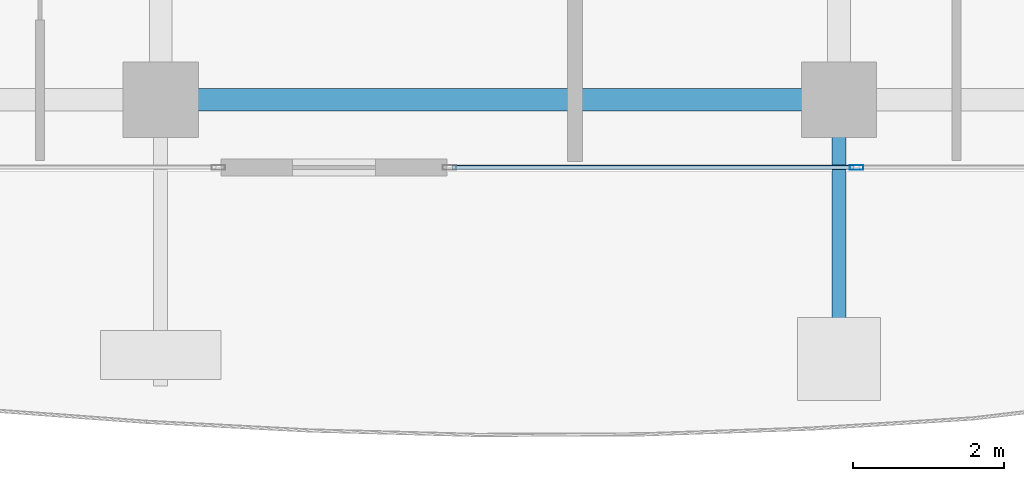
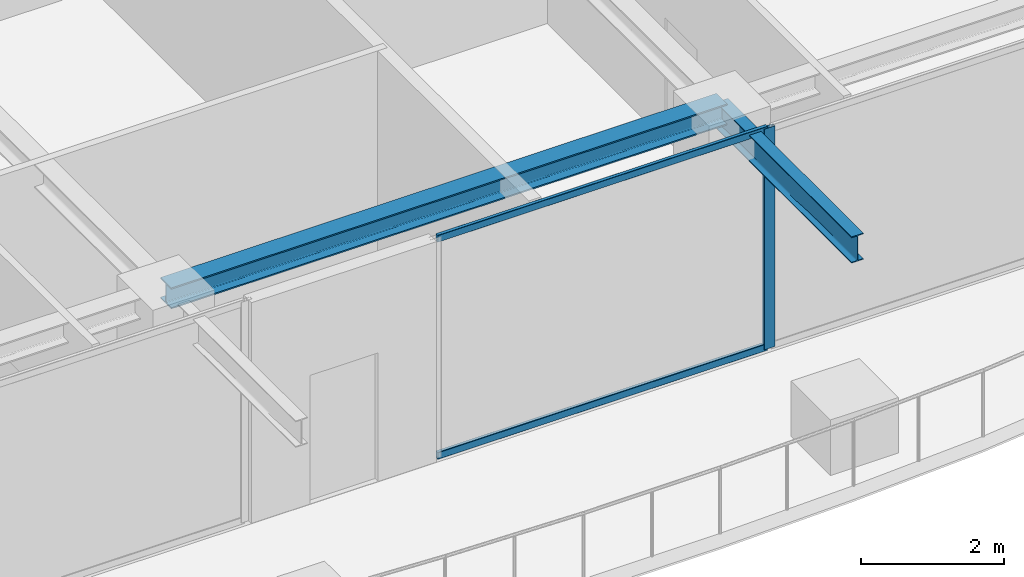
# One storey, part 5 of 38: 3 members, 2 beams, 1 element without a shape of its own.
"""IFC4 building model written with IfcOpenShell, lengths in metres."""

from ifc_helpers import new_model, si_unit, direction, frame, origin, origin_2d, place, context, subcontext, project, spatial, hollow_rectangle, i_section, extrude, source, transform, mapped, material, layer, layer_set, material_profile, profile_set, type_object, element, aggregate, save


model = new_model("IFC4")

# Units and contexts
model_context = context("Model", 3, precision=1e-05, world=origin(), true_north=direction((0.0, 1.0)))
body_context = subcontext(model_context, "Body", "Model", "MODEL_VIEW")
ifc_project = project(units=[si_unit("LENGTHUNIT", "METRE"), si_unit("AREAUNIT", "SQUARE_METRE"), si_unit("VOLUMEUNIT", "CUBIC_METRE"), si_unit("PLANEANGLEUNIT", "RADIAN"), si_unit("MASSUNIT", "GRAM", prefix="KILO")], contexts=[model_context])

# Site, building, storey
site_placement = place(None, origin())
site = spatial("IfcSite", under=ifc_project, at=site_placement, CompositionType="ELEMENT")
building_placement = place(site_placement, origin())
building = spatial("IfcBuilding", under=site, at=building_placement, Name="Serunith Strait Residences", CompositionType="ELEMENT")
storey_placement = place(building_placement, frame((0.0, 0.0, 321.800048828125)))
storey = spatial("IfcBuildingStorey", under=building, at=storey_placement, Name="L80", CompositionType="ELEMENT", Elevation=321.800048828125)

# Beams
ifc_material_1 = material(Name="Steel S355J2", Category="steel")
ifc_material_profile_1 = material_profile(ifc_material_1, i_section(OverallWidth=0.300048828125, OverallDepth=0.360107421875, WebThickness=0.012451171875, FlangeThickness=0.0224609375, FilletRadius=0.027099609375, at=origin_2d()), Name="HEB 360")
ifc_profile_set_1 = profile_set([ifc_material_profile_1], Name="Steel S355J2")
beam_type_1 = type_object("IfcBeamType", Name="BM-HEB360", PredefinedType="BEAM", material=ifc_profile_set_1)
shared_shape_1 = source(origin(), body_context, "Body", "SweptSolid", [
    extrude(i_section(OverallWidth=0.300048828125, OverallDepth=0.360107421875, WebThickness=0.012451171875, FlangeThickness=0.0224609375, FilletRadius=0.027099609375, at=origin_2d()), origin(), (0.0, 0.0, 1.0), 9.0),
])
beam_1_placement = place(storey_placement, frame((27.89990234375, 3.300048828125, 3.60693359375), z_axis=(1.0, 0.0, 0.0), x_axis=(0.0, 1.0, 0.0)))
element("IfcBeam", 1, at=beam_1_placement, inside=storey, type_object=beam_type_1, Name="L80 Perimeter Ring Beam 02", PredefinedType="BEAM", context=body_context, shape_type="MappedRepresentation", body=[
    mapped(shared_shape_1, transform((0.0, 0.0, 0.0), scale=1.0)),
])
ifc_material_profile_2 = material_profile(ifc_material_1, i_section(OverallWidth=0.18994140625, OverallDepth=0.449951171875, WebThickness=0.009521484375, FlangeThickness=0.0146484375, FilletRadius=0.02099609375, at=origin_2d()), Name="IPE 450")
ifc_profile_set_2 = profile_set([ifc_material_profile_2], Name="Steel S355J2")
beam_type_2 = type_object("IfcBeamType", Name="BM-IPE450", PredefinedType="JOIST", material=ifc_profile_set_2)
shared_shape_2 = source(origin(), body_context, "Body", "SweptSolid", [
    extrude(i_section(OverallWidth=0.18994140625, OverallDepth=0.449951171875, WebThickness=0.009521484375, FlangeThickness=0.0146484375, FilletRadius=0.02099609375, at=origin_2d()), origin(), (0.0, 0.0, 1.0), 3.800048828125),
])
beam_2_placement = place(storey_placement, frame((36.89990234375, 3.300048828125, 3.531982421875), z_axis=(0.0, -1.0, 0.0), x_axis=(1.0, 0.0, 0.0)))
element("IfcBeam", 2, at=beam_2_placement, inside=storey, type_object=beam_type_2, Name="L81 Cantilevered Balcony Rib TC-S3", PredefinedType="JOIST", context=body_context, shape_type="MappedRepresentation", body=[
    mapped(shared_shape_2, transform((0.0, 0.0, 0.0), scale=1.0)),
])

# Curtain wall, members
ifc_material_2 = material(Name="Brushed Stainless-Silver Aluminium", Category="aluminium")
ifc_layer = layer(ifc_material_2, 0.199951171875, Name="Brushed Stainless-Silver Aluminium")
ifc_layer_set = layer_set([ifc_layer], Name="Brushed Stainless-Silver Aluminium")
curtain_wall_type = type_object("IfcCurtainWallType", Name="CW-SYS5", PredefinedType="NOTDEFINED", material=ifc_layer_set)
curtain_wall_placement = place(storey_placement, origin())
curtain_wall = element("IfcCurtainWall", 3, at=curtain_wall_placement, inside=storey, type_object=curtain_wall_type, Name="L80 S Unitised Fritted Curtain Wall", PredefinedType="NOTDEFINED")
ifc_material_profile_3 = material_profile(ifc_material_2, hollow_rectangle(XDim=0.06494140625, YDim=0.179931640625, WallThickness=0.00341796875, InnerFilletRadius=0.00537109375, OuterFilletRadius=0.0087890625, at=origin_2d()), Name="ALU 180x65x3.5")
ifc_profile_set_3 = profile_set([ifc_material_profile_3], Name="Brushed Stainless-Silver Aluminium")
member_type_1 = type_object("IfcMemberType", Name="CW-SYS5-MULL", PredefinedType="MULLION", material=ifc_profile_set_3)
shared_shape_3 = source(origin(), body_context, "Body", "SweptSolid", [
    extrude(hollow_rectangle(XDim=0.06494140625, YDim=0.179931640625, WallThickness=0.00341796875, InnerFilletRadius=0.00537109375, OuterFilletRadius=0.0087890625, at=origin_2d()), origin(), (0.0, 0.0, 1.0), 3.77490234375),
])
member_1_placement = place(storey_placement, frame((37.13330078125, 2.39990234375, 0.0), z_axis=(0.0, 0.0, 1.0), x_axis=(0.0, 1.0, 0.0)))
member_1 = element("IfcMember", 4, at=member_1_placement, type_object=member_type_1, Name="CW-5 mullion 2", PredefinedType="MULLION", context=body_context, shape_type="MappedRepresentation", body=[
    mapped(shared_shape_3, transform((0.0, 0.0, 0.0), scale=1.0)),
])
ifc_material_profile_4 = material_profile(ifc_material_2, hollow_rectangle(XDim=0.06005859375, YDim=0.1201171875, WallThickness=0.00341796875, InnerFilletRadius=0.00537109375, OuterFilletRadius=0.0087890625, at=origin_2d()), Name="ALU 120x60x3.5")
ifc_profile_set_4 = profile_set([ifc_material_profile_4], Name="Brushed Stainless-Silver Aluminium")
member_type_2 = type_object("IfcMemberType", Name="CW-SYS5-TRAN", PredefinedType="USERDEFINED", material=ifc_profile_set_4)
shared_shape_4 = source(origin(), body_context, "Body", "SweptSolid", [
    extrude(hollow_rectangle(XDim=0.06005859375, YDim=0.1201171875, WallThickness=0.00341796875, InnerFilletRadius=0.00537109375, OuterFilletRadius=0.0087890625, at=origin_2d()), origin(), (0.0, 0.0, 1.0), 5.3359375),
])
member_2_placement = place(storey_placement, frame((31.764892578125, 2.39990234375, 0.030029296875), z_axis=(1.0, 0.0, 0.0), x_axis=(0.0, 1.0, 0.0)))
member_2 = element("IfcMember", 5, at=member_2_placement, type_object=member_type_2, Name="CW-5 transom 1.1", ObjectType="TRANSOM", PredefinedType="USERDEFINED", context=body_context, shape_type="MappedRepresentation", body=[
    mapped(shared_shape_4, transform((0.0, 0.0, 0.0), scale=1.0)),
])
member_3_placement = place(storey_placement, frame((31.764892578125, 2.39990234375, 3.744873046875), z_axis=(1.0, 0.0, 0.0), x_axis=(0.0, 1.0, 0.0)))
member_3 = element("IfcMember", 6, at=member_3_placement, type_object=member_type_2, Name="CW-5 transom 1.2", ObjectType="TRANSOM", PredefinedType="USERDEFINED", context=body_context, shape_type="MappedRepresentation", body=[
    mapped(shared_shape_4, transform((0.0, 0.0, 0.0), scale=1.0)),
])
aggregate(curtain_wall, [member_1, member_2, member_3])

save(model, "model.ifc")
